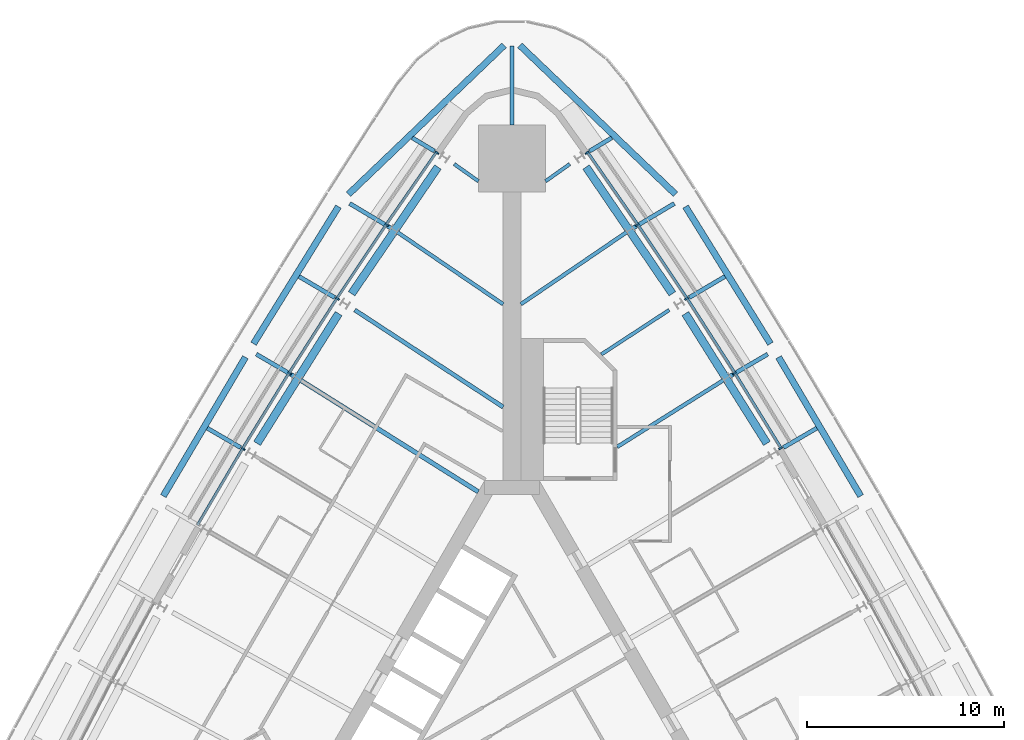
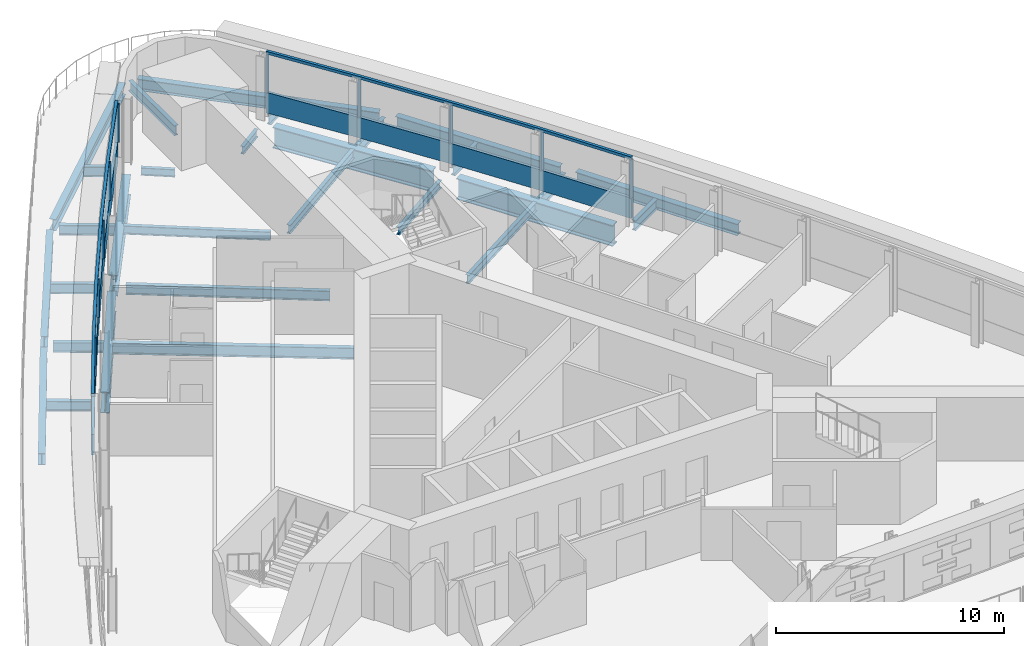
# One storey, part 5 of 14: 29 beams, 14 members, 2 elements without a shape of their own.
"""IFC4 building model written with IfcOpenShell, lengths in metres."""

from ifc_helpers import new_model, si_unit, direction, frame, origin, origin_2d, place, context, subcontext, project, spatial, polyline, rectangle, i_section, outline, extrude, material, material_profile, profile_set, type_object, element, aggregate, save


model = new_model("IFC4")

# Units and contexts
model_context = context("Model", 3, precision=1e-05, world=origin(), true_north=direction((0.0, 1.0)))
body_context = subcontext(model_context, "Body", "Model", "MODEL_VIEW")
ifc_project = project(units=[si_unit("LENGTHUNIT", "METRE"), si_unit("AREAUNIT", "SQUARE_METRE"), si_unit("VOLUMEUNIT", "CUBIC_METRE"), si_unit("PLANEANGLEUNIT", "RADIAN"), si_unit("MASSUNIT", "GRAM", prefix="KILO")], contexts=[model_context])

# Site, building, storey
site_placement = place(None, origin())
site = spatial("IfcSite", under=ifc_project, at=site_placement, CompositionType="ELEMENT")
building_placement = place(site_placement, origin())
building = spatial("IfcBuilding", under=site, at=building_placement, Name="Noor Cloister Tower", CompositionType="ELEMENT")
storey_placement = place(building_placement, frame((0.0, 0.0, 24.0)))
storey = spatial("IfcBuildingStorey", under=building, at=storey_placement, Name="L05", CompositionType="ELEMENT", Elevation=24.0)

# Curtain wall, member
ifc_material_1 = material(Name="Aluminium 6063-T6 anodised", Category="aluminium")
curtain_wall_type = type_object("IfcCurtainWallType", Name="Ribbon curtain wall, lower tower CW1", PredefinedType="NOTDEFINED", material=ifc_material_1)
curtain_wall_1_placement = place(storey_placement, origin())
curtain_wall_1 = element("IfcCurtainWall", 1, at=curtain_wall_1_placement, inside=storey, type_object=curtain_wall_type, Name="CW1 L05 NW run 1", PredefinedType="NOTDEFINED")
ifc_material_2 = material(Name="Aluminium 6063-T6 anodised", Category="aluminium")
member_type_1 = type_object("IfcMemberType", Name="Head transom CW1 150", PredefinedType="USERDEFINED", material=ifc_material_2)
member_1_placement = place(storey_placement, frame((0.0, 0.0, 3.14990234375)))
member_1 = element("IfcMember", 2, at=member_1_placement, type_object=member_type_1, Name="CW1 head transom", ObjectType="TRANSOM", PredefinedType="USERDEFINED", context=body_context, shape_type="SweptSolid", body=[
    extrude(outline(polyline([(-3.869873046875, 28.177734375), (-6.43701171875, 24.48193359375), (-8.93505859375, 20.739013671875), (-11.36328125, 16.950439453125), (-13.720947265625, 13.11767578125), (-16.0068359375, 9.24169921875), (-15.88623046875, 9.17041015625), (-13.600830078125, 13.04541015625), (-11.244873046875, 16.8759765625), (-8.81787109375, 20.662353515625), (-6.3212890625, 24.403076171875), (-3.7548828125, 28.097900390625), (-3.869873046875, 28.177734375)])), origin(), (0.0, 0.0, 1.0), 0.150146484375),
])

curtain_wall_2_placement = place(storey_placement, origin())
curtain_wall_2 = element("IfcCurtainWall", 3, at=curtain_wall_2_placement, inside=storey, type_object=curtain_wall_type, Name="CW1 L05 NE run 8", PredefinedType="NOTDEFINED")
member_2_placement = place(storey_placement, frame((0.0, 0.0, 3.14990234375)))
member_2 = element("IfcMember", 4, at=member_2_placement, type_object=member_type_1, Name="CW1 head transom", ObjectType="TRANSOM", PredefinedType="USERDEFINED", context=body_context, shape_type="SweptSolid", body=[
    extrude(outline(polyline([(13.720947265625, 13.11767578125), (11.36328125, 16.950439453125), (8.93505859375, 20.739013671875), (6.43701171875, 24.48193359375), (3.869873046875, 28.177734375), (3.7548828125, 28.097900390625), (6.3212890625, 24.403076171875), (8.81787109375, 20.662353515625), (11.244873046875, 16.8759765625), (13.6015625, 13.044189453125), (13.720947265625, 13.11767578125)])), origin(), (0.0, 0.0, 1.0), 0.150146484375),
])

# Member
ifc_material_3 = material(Name="Aluminium 6063-T6 anodised", Category="aluminium")
ifc_material_profile_1 = material_profile(ifc_material_3, rectangle(XDim=0.199951171875, YDim=0.080078125, at=origin_2d()), Name="200 x 80 mullion")
ifc_profile_set_1 = profile_set([ifc_material_profile_1], Name="Aluminium 6063-T6 anodised")
member_type_2 = type_object("IfcMemberType", Name="Mullion CW1 80 x 200", PredefinedType="MULLION", material=ifc_profile_set_1)
member_3_placement = place(storey_placement, frame((-3.810546875, 28.087890625, 1.10009765625), z_axis=(0.0, 0.0, 1.0), x_axis=(0.821310840472, -0.570480940369, 0.0)))
member_3 = element("IfcMember", 5, at=member_3_placement, type_object=member_type_2, Name="CW1 mullion 1", PredefinedType="MULLION", context=body_context, shape_type="SweptSolid", body=[
    extrude(rectangle(XDim=0.199951171875, YDim=0.080078125, at=origin_2d()), origin(), (0.0, 0.0, 1.0), 2.0498046875),
])

member_4_placement = place(storey_placement, frame((-6.354248046875, 24.425537109375, 1.10009765625), z_axis=(0.0, 0.0, 1.0), x_axis=(0.826567745426, -0.562837243101, 0.0)))
member_4 = element("IfcMember", 6, at=member_4_placement, type_object=member_type_2, Name="CW1 mullion 2", PredefinedType="MULLION", context=body_context, shape_type="SweptSolid", body=[
    extrude(rectangle(XDim=0.199951171875, YDim=0.080078125, at=origin_2d()), origin(), (0.0, 0.0, 1.0), 2.0498046875),
])

member_5_placement = place(storey_placement, frame((-8.851318359375, 20.684326171875, 1.10009765625), z_axis=(0.0, 0.0, 1.0), x_axis=(0.83686770291, -0.547405195287, 0.0)))
member_5 = element("IfcMember", 7, at=member_5_placement, type_object=member_type_2, Name="CW1 mullion 3", PredefinedType="MULLION", context=body_context, shape_type="SweptSolid", body=[
    extrude(rectangle(XDim=0.199951171875, YDim=0.080078125, at=origin_2d()), origin(), (0.0, 0.0, 1.0), 2.0498046875),
])

member_6_placement = place(storey_placement, frame((-11.278564453125, 16.8974609375, 1.10009765625), z_axis=(0.0, 0.0, 1.0), x_axis=(0.846879579379, -0.531784710227, 0.0)))
member_6 = element("IfcMember", 8, at=member_6_placement, type_object=member_type_2, Name="CW1 mullion 4", PredefinedType="MULLION", context=body_context, shape_type="SweptSolid", body=[
    extrude(rectangle(XDim=0.199951171875, YDim=0.080078125, at=origin_2d()), origin(), (0.0, 0.0, 1.0), 2.0498046875),
])

member_7_placement = place(storey_placement, frame((-13.63525390625, 13.06591796875, 1.10009765625), z_axis=(0.0, 0.0, 1.0), x_axis=(0.856599928372, -0.515981165076, 0.0)))
member_7 = element("IfcMember", 9, at=member_7_placement, type_object=member_type_2, Name="CW1 mullion 5", PredefinedType="MULLION", context=body_context, shape_type="SweptSolid", body=[
    extrude(rectangle(XDim=0.199951171875, YDim=0.080078125, at=origin_2d()), origin(), (0.0, 0.0, 1.0), 2.0498046875),
])

member_8_placement = place(storey_placement, frame((13.61474609375, 13.099365234375, 1.10009765625), z_axis=(0.0, 0.0, 1.0), x_axis=(-0.851776406307, -0.523905481608, 0.0)))
member_8 = element("IfcMember", 10, at=member_8_placement, type_object=member_type_2, Name="CW1 mullion 1", PredefinedType="MULLION", context=body_context, shape_type="SweptSolid", body=[
    extrude(rectangle(XDim=0.199951171875, YDim=0.080078125, at=origin_2d()), origin(), (0.0, 0.0, 1.0), 2.0498046875),
])

member_9_placement = place(storey_placement, frame((11.278564453125, 16.8974609375, 1.10009765625), z_axis=(0.0, 0.0, 1.0), x_axis=(-0.846879579379, -0.531784710227, 0.0)))
member_9 = element("IfcMember", 11, at=member_9_placement, type_object=member_type_2, Name="CW1 mullion 2", PredefinedType="MULLION", context=body_context, shape_type="SweptSolid", body=[
    extrude(rectangle(XDim=0.199951171875, YDim=0.080078125, at=origin_2d()), origin(), (0.0, 0.0, 1.0), 2.0498046875),
])

member_10_placement = place(storey_placement, frame((8.851318359375, 20.684326171875, 1.10009765625), z_axis=(0.0, 0.0, 1.0), x_axis=(-0.83686770291, -0.547405195287, 0.0)))
member_10 = element("IfcMember", 12, at=member_10_placement, type_object=member_type_2, Name="CW1 mullion 3", PredefinedType="MULLION", context=body_context, shape_type="SweptSolid", body=[
    extrude(rectangle(XDim=0.199951171875, YDim=0.080078125, at=origin_2d()), origin(), (0.0, 0.0, 1.0), 2.0498046875),
])

member_11_placement = place(storey_placement, frame((6.354248046875, 24.425537109375, 1.10009765625), z_axis=(0.0, 0.0, 1.0), x_axis=(-0.826567745426, -0.562837243101, 0.0)))
member_11 = element("IfcMember", 13, at=member_11_placement, type_object=member_type_2, Name="CW1 mullion 4", PredefinedType="MULLION", context=body_context, shape_type="SweptSolid", body=[
    extrude(rectangle(XDim=0.199951171875, YDim=0.080078125, at=origin_2d()), origin(), (0.0, 0.0, 1.0), 2.0498046875),
])

member_12_placement = place(storey_placement, frame((3.810546875, 28.087890625, 1.10009765625), z_axis=(0.0, 0.0, 1.0), x_axis=(-0.821310840472, -0.570480940369, 0.0)))
member_12 = element("IfcMember", 14, at=member_12_placement, type_object=member_type_2, Name="CW1 mullion 5", PredefinedType="MULLION", context=body_context, shape_type="SweptSolid", body=[
    extrude(rectangle(XDim=0.199951171875, YDim=0.080078125, at=origin_2d()), origin(), (0.0, 0.0, 1.0), 2.0498046875),
])

# Beams
ifc_material_4 = material(Name="Steel ASTM A992 Gr 50", Category="steel")
ifc_material_profile_2 = material_profile(ifc_material_4, i_section(OverallWidth=0.324951171875, OverallDepth=0.616943359375, WebThickness=0.013916015625, FlangeThickness=0.021484375, FilletRadius=0.0126953125, at=origin_2d()), Name="W610x174")
ifc_profile_set_2 = profile_set([ifc_material_profile_2], Name="Steel ASTM A992 Gr 50")
beam_type_1 = type_object("IfcBeamType", Name="Podium perimeter beam W610x174", PredefinedType="BEAM", material=ifc_profile_set_2)
beam_1_placement = place(storey_placement, frame((-0.39990234375, 33.530517578125, -0.508544921875), z_axis=(-0.722642827837, -0.691221631154, 0.0), x_axis=(0.691221631154, -0.722642827837, 0.0)))
element("IfcBeam", 15, at=beam_1_placement, inside=storey, type_object=beam_type_1, Name="Podium perimeter beam 01 L05", PredefinedType="BEAM", context=body_context, shape_type="SweptSolid", body=[
    extrude(i_section(OverallWidth=0.324951171875, OverallDepth=0.616943359375, WebThickness=0.013916015625, FlangeThickness=0.021484375, FilletRadius=0.0126953125, at=origin_2d()), origin(), (0.0, 0.0, 1.0), 10.924560546875),
])
beam_2_placement = place(storey_placement, frame((-8.802978515625, 25.3544921875, -0.508544921875), z_axis=(-0.526431670639, -0.85021744051, 0.0), x_axis=(0.85021744051, -0.526431670639, 0.0)))
element("IfcBeam", 16, at=beam_2_placement, inside=storey, type_object=beam_type_1, Name="Podium perimeter beam 02 L05", PredefinedType="BEAM", context=body_context, shape_type="SweptSolid", body=[
    extrude(i_section(OverallWidth=0.324951171875, OverallDepth=0.616943359375, WebThickness=0.013916015625, FlangeThickness=0.021484375, FilletRadius=0.0126953125, at=origin_2d()), origin(), (0.0, 0.0, 1.0), 8.180419921875),
])
for number, where, z_axis, x_axis, name in (
    (17, (-13.5234375, 17.71484375, -0.508544921875), (-0.508871084259, -0.860842738022, 0.0), (0.860842738022, -0.508871084259, 0.0), "Podium perimeter beam 03 L05"),
    (18, (17.68603515625, 10.673095703125, -0.508544921875), (-0.508871084259, 0.860842738022, 0.0), (-0.860842738022, -0.508871084259, 0.0), "Podium perimeter beam 16 L05"),
):
    element("IfcBeam", number, at=place(storey_placement, frame(where, z_axis=z_axis, x_axis=x_axis)), inside=storey, type_object=beam_type_1, Name=name, PredefinedType="BEAM", context=body_context, shape_type="SweptSolid", body=[
        extrude(i_section(OverallWidth=0.324951171875, OverallDepth=0.616943359375, WebThickness=0.013916015625, FlangeThickness=0.021484375, FilletRadius=0.0126953125, at=origin_2d()), origin(), (0.0, 0.0, 1.0), 8.18017578125),
    ])
beam_3_placement = place(storey_placement, frame((13.109375, 18.3994140625, -0.508544921875), z_axis=(-0.526431670639, 0.85021744051, 0.0), x_axis=(-0.85021744051, -0.526431670639, 0.0)))
element("IfcBeam", 19, at=beam_3_placement, inside=storey, type_object=beam_type_1, Name="Podium perimeter beam 17 L05", PredefinedType="BEAM", context=body_context, shape_type="SweptSolid", body=[
    extrude(i_section(OverallWidth=0.324951171875, OverallDepth=0.616943359375, WebThickness=0.013916015625, FlangeThickness=0.021484375, FilletRadius=0.0126953125, at=origin_2d()), origin(), (0.0, 0.0, 1.0), 8.180419921875),
])
beam_4_placement = place(storey_placement, frame((8.29443359375, 25.979248046875, -0.508544921875), z_axis=(-0.722642827837, 0.691221631154, 0.0), x_axis=(-0.691221631154, -0.722642827837, 0.0)))
element("IfcBeam", 20, at=beam_4_placement, inside=storey, type_object=beam_type_1, Name="Podium perimeter beam 18 L05", PredefinedType="BEAM", context=body_context, shape_type="SweptSolid", body=[
    extrude(i_section(OverallWidth=0.324951171875, OverallDepth=0.616943359375, WebThickness=0.013916015625, FlangeThickness=0.021484375, FilletRadius=0.0126953125, at=origin_2d()), origin(), (0.0, 0.0, 1.0), 10.924560546875),
])
ifc_material_5 = material(Name="Steel ASTM A992 Gr 50", Category="steel")
ifc_material_profile_3 = material_profile(ifc_material_5, i_section(OverallWidth=0.208984375, OverallDepth=0.532958984375, WebThickness=0.01025390625, FlangeThickness=0.015625, FilletRadius=0.0126953125, at=origin_2d()), Name="W530x92")
ifc_profile_set_3 = profile_set([ifc_material_profile_3], Name="Steel ASTM A992 Gr 50")
beam_type_2 = type_object("IfcBeamType", Name="Podium stub beam W530x92", PredefinedType="BEAM", material=ifc_profile_set_3)
beam_5_placement = place(storey_placement, frame((-3.936767578125, 28.169921875, -0.466552734375), z_axis=(-0.85703318355, 0.515261217534, 0.0), x_axis=(-0.515261217534, -0.85703318355, 0.0)))
element("IfcBeam", 21, at=beam_5_placement, inside=storey, type_object=beam_type_2, Name="Podium stub beam NW 00 L05", PredefinedType="BEAM", context=body_context, shape_type="SweptSolid", body=[
    extrude(i_section(OverallWidth=0.208984375, OverallDepth=0.532958984375, WebThickness=0.01025390625, FlangeThickness=0.015625, FilletRadius=0.0126953125, at=origin_2d()), origin(), (0.0, 0.0, 1.0), 1.31298828125),
])
beam_6_placement = place(storey_placement, frame((-6.120361328125, 24.25439453125, -0.466552734375), z_axis=(-0.85936142963, 0.511368686238, 0.0), x_axis=(-0.511368686238, -0.85936142963, 0.0)))
element("IfcBeam", 22, at=beam_6_placement, inside=storey, type_object=beam_type_2, Name="Podium stub beam NW 01 L05", PredefinedType="BEAM", context=body_context, shape_type="SweptSolid", body=[
    extrude(i_section(OverallWidth=0.208984375, OverallDepth=0.532958984375, WebThickness=0.01025390625, FlangeThickness=0.015625, FilletRadius=0.0126953125, at=origin_2d()), origin(), (0.0, 0.0, 1.0), 2.459716796875),
])
beam_7_placement = place(storey_placement, frame((-8.9921875, 20.7431640625, -0.466552734375), z_axis=(-0.861388026726, 0.507947504583, 0.0), x_axis=(-0.507947504583, -0.861388026726, 0.0)))
element("IfcBeam", 23, at=beam_7_placement, inside=storey, type_object=beam_type_2, Name="Podium stub beam NW 02 L05", PredefinedType="BEAM", context=body_context, shape_type="SweptSolid", body=[
    extrude(i_section(OverallWidth=0.208984375, OverallDepth=0.532958984375, WebThickness=0.01025390625, FlangeThickness=0.015625, FilletRadius=0.0126953125, at=origin_2d()), origin(), (0.0, 0.0, 1.0), 2.104736328125),
])
beam_8_placement = place(storey_placement, frame((-11.035888671875, 16.739013671875, -0.466552734375), z_axis=(-0.863101466996, 0.505030551223, 0.0), x_axis=(-0.505030551223, -0.863101466996, 0.0)))
element("IfcBeam", 24, at=beam_8_placement, inside=storey, type_object=beam_type_2, Name="Podium stub beam NW 03 L05", PredefinedType="BEAM", context=body_context, shape_type="SweptSolid", body=[
    extrude(i_section(OverallWidth=0.208984375, OverallDepth=0.532958984375, WebThickness=0.01025390625, FlangeThickness=0.015625, FilletRadius=0.0126953125, at=origin_2d()), origin(), (0.0, 0.0, 1.0), 2.23779296875),
])
for number, where, z_axis, x_axis, name in (
    (25, (-13.7685546875, 13.13525390625, -0.466552734375), (-0.864596671595, 0.502466511786, 0.0), (-0.502466511786, -0.864596671595, 0.0), "Podium stub beam NW 04 L05"),
    (26, (13.7685546875, 13.13525390625, -0.466552734375), (0.864596671595, 0.502466511786, 0.0), (-0.502466511786, 0.864596671595, 0.0), "Podium stub beam NE 06 L05"),
):
    element("IfcBeam", number, at=place(storey_placement, frame(where, z_axis=z_axis, x_axis=x_axis)), inside=storey, type_object=beam_type_2, Name=name, PredefinedType="BEAM", context=body_context, shape_type="SweptSolid", body=[
        extrude(i_section(OverallWidth=0.208984375, OverallDepth=0.532958984375, WebThickness=0.01025390625, FlangeThickness=0.015625, FilletRadius=0.0126953125, at=origin_2d()), origin(), (0.0, 0.0, 1.0), 1.95703125),
    ])
beam_9_placement = place(storey_placement, frame((11.035888671875, 16.739013671875, -0.466552734375), z_axis=(0.863101466996, 0.505030551223, 0.0), x_axis=(-0.505030551223, 0.863101466996, 0.0)))
element("IfcBeam", 27, at=beam_9_placement, inside=storey, type_object=beam_type_2, Name="Podium stub beam NE 07 L05", PredefinedType="BEAM", context=body_context, shape_type="SweptSolid", body=[
    extrude(i_section(OverallWidth=0.208984375, OverallDepth=0.532958984375, WebThickness=0.01025390625, FlangeThickness=0.015625, FilletRadius=0.0126953125, at=origin_2d()), origin(), (0.0, 0.0, 1.0), 2.23779296875),
])
beam_10_placement = place(storey_placement, frame((8.9921875, 20.7431640625, -0.466552734375), z_axis=(0.861388026726, 0.507947504583, 0.0), x_axis=(-0.507947504583, 0.861388026726, 0.0)))
element("IfcBeam", 28, at=beam_10_placement, inside=storey, type_object=beam_type_2, Name="Podium stub beam NE 08 L05", PredefinedType="BEAM", context=body_context, shape_type="SweptSolid", body=[
    extrude(i_section(OverallWidth=0.208984375, OverallDepth=0.532958984375, WebThickness=0.01025390625, FlangeThickness=0.015625, FilletRadius=0.0126953125, at=origin_2d()), origin(), (0.0, 0.0, 1.0), 2.104736328125),
])
beam_11_placement = place(storey_placement, frame((6.120361328125, 24.25439453125, -0.466552734375), z_axis=(0.85936142963, 0.511368686238, 0.0), x_axis=(-0.511368686238, 0.85936142963, 0.0)))
element("IfcBeam", 29, at=beam_11_placement, inside=storey, type_object=beam_type_2, Name="Podium stub beam NE 09 L05", PredefinedType="BEAM", context=body_context, shape_type="SweptSolid", body=[
    extrude(i_section(OverallWidth=0.208984375, OverallDepth=0.532958984375, WebThickness=0.01025390625, FlangeThickness=0.015625, FilletRadius=0.0126953125, at=origin_2d()), origin(), (0.0, 0.0, 1.0), 2.459716796875),
])
beam_12_placement = place(storey_placement, frame((3.936767578125, 28.169921875, -0.466552734375), z_axis=(0.85703318355, 0.515261217534, 0.0), x_axis=(-0.515261217534, 0.85703318355, 0.0)))
element("IfcBeam", 30, at=beam_12_placement, inside=storey, type_object=beam_type_2, Name="Podium stub beam NE 10 L05", PredefinedType="BEAM", context=body_context, shape_type="SweptSolid", body=[
    extrude(i_section(OverallWidth=0.208984375, OverallDepth=0.532958984375, WebThickness=0.01025390625, FlangeThickness=0.015625, FilletRadius=0.0126953125, at=origin_2d()), origin(), (0.0, 0.0, 1.0), 1.31298828125),
])
beam_13_placement = place(storey_placement, frame((0.0, 29.489013671875, -0.466552734375), z_axis=(0.0, 1.0, 0.0), x_axis=(-1.0, 0.0, 0.0)))
element("IfcBeam", 31, at=beam_13_placement, inside=storey, type_object=beam_type_2, Name="Podium corner stub beam N L05", PredefinedType="BEAM", context=body_context, shape_type="SweptSolid", body=[
    extrude(i_section(OverallWidth=0.208984375, OverallDepth=0.532958984375, WebThickness=0.01025390625, FlangeThickness=0.015625, FilletRadius=0.0126953125, at=origin_2d()), origin(), (0.0, 0.0, 1.0), 4.024169921875),
])
ifc_material_6 = material(Name="Steel ASTM A992 Gr 50", Category="steel")
ifc_material_profile_4 = material_profile(ifc_material_6, i_section(OverallWidth=0.177978515625, OverallDepth=0.406005859375, WebThickness=0.0078125, FlangeThickness=0.0126953125, FilletRadius=0.01025390625, at=origin_2d()), Name="W410x60")
ifc_profile_set_4 = profile_set([ifc_material_profile_4], Name="Steel ASTM A992 Gr 50")
beam_type_3 = type_object("IfcBeamType", Name="Radial beam W410x60", PredefinedType="BEAM", material=ifc_profile_set_4)
beam_14_placement = place(storey_placement, frame((-2.931396484375, 27.512939453125, -0.403076171875), z_axis=(0.816011763041, -0.578035295271, 0.0), x_axis=(0.578035295271, 0.816011763041, 0.0)))
element("IfcBeam", 32, at=beam_14_placement, inside=storey, type_object=beam_type_3, Name="Radial beam NW 01 L05", PredefinedType="BEAM", context=body_context, shape_type="SweptSolid", body=[
    extrude(i_section(OverallWidth=0.177978515625, OverallDepth=0.406005859375, WebThickness=0.0078125, FlangeThickness=0.0126953125, FilletRadius=0.01025390625, at=origin_2d()), origin(), (0.0, 0.0, 1.0), 1.509033203125),
])
beam_15_placement = place(storey_placement, frame((7.97265625, 20.109619140625, -0.403076171875), z_axis=(-0.836852408304, -0.547428576816, 0.0), x_axis=(0.547428576816, -0.836852408304, 0.0)))
element("IfcBeam", 33, at=beam_15_placement, inside=storey, type_object=beam_type_3, Name="Radial beam NE 09 L05", PredefinedType="BEAM", context=body_context, shape_type="SweptSolid", body=[
    extrude(i_section(OverallWidth=0.177978515625, OverallDepth=0.406005859375, WebThickness=0.0078125, FlangeThickness=0.0126953125, FilletRadius=0.01025390625, at=origin_2d()), origin(), (0.0, 0.0, 1.0), 4.110595703125),
])
beam_16_placement = place(storey_placement, frame((2.931396484375, 27.512939453125, -0.403076171875), z_axis=(-0.816011763041, -0.578035295271, 0.0), x_axis=(0.578035295271, -0.816011763041, 0.0)))
element("IfcBeam", 34, at=beam_16_placement, inside=storey, type_object=beam_type_3, Name="Radial beam NE 11 L05", PredefinedType="BEAM", context=body_context, shape_type="SweptSolid", body=[
    extrude(i_section(OverallWidth=0.177978515625, OverallDepth=0.406005859375, WebThickness=0.0078125, FlangeThickness=0.0126953125, FilletRadius=0.01025390625, at=origin_2d()), origin(), (0.0, 0.0, 1.0), 1.509033203125),
])
ifc_material_7 = material(Name="Steel ASTM A992 Gr 50", Category="steel")
ifc_material_profile_5 = material_profile(ifc_material_7, i_section(OverallWidth=0.19091796875, OverallDepth=0.45703125, WebThickness=0.009033203125, FlangeThickness=0.014404296875, FilletRadius=0.01025390625, at=origin_2d()), Name="W460x74")
ifc_profile_set_5 = profile_set([ifc_material_profile_5], Name="Steel ASTM A992 Gr 50")
beam_type_4 = type_object("IfcBeamType", Name="Radial beam W460x74", PredefinedType="BEAM", material=ifc_profile_set_5)
beam_17_placement = place(storey_placement, frame((-5.8154296875, 24.05859375, -0.428466796875), z_axis=(0.8265828672, -0.562815035026, 0.0), x_axis=(0.562815035026, 0.8265828672, 0.0)))
element("IfcBeam", 35, at=beam_17_placement, inside=storey, type_object=beam_type_4, Name="Radial beam NW 02 L05", PredefinedType="BEAM", context=body_context, shape_type="SweptSolid", body=[
    extrude(i_section(OverallWidth=0.19091796875, OverallDepth=0.45703125, WebThickness=0.009033203125, FlangeThickness=0.014404296875, FilletRadius=0.01025390625, at=origin_2d()), origin(), (0.0, 0.0, 1.0), 6.4912109375),
])
beam_18_placement = place(storey_placement, frame((10.7265625, 16.550537109375, -0.428466796875), z_axis=(-0.846886775344, -0.531773250312, 0.0), x_axis=(0.531773250312, -0.846886775344, 0.0)))
element("IfcBeam", 36, at=beam_18_placement, inside=storey, type_object=beam_type_4, Name="Radial beam NE 08 L05", PredefinedType="BEAM", context=body_context, shape_type="SweptSolid", body=[
    extrude(i_section(OverallWidth=0.19091796875, OverallDepth=0.45703125, WebThickness=0.009033203125, FlangeThickness=0.014404296875, FilletRadius=0.01025390625, at=origin_2d()), origin(), (0.0, 0.0, 1.0), 6.365478515625),
])
beam_19_placement = place(storey_placement, frame((5.8154296875, 24.05859375, -0.428466796875), z_axis=(-0.8265828672, -0.562815035026, 0.0), x_axis=(0.562815035026, -0.8265828672, 0.0)))
element("IfcBeam", 37, at=beam_19_placement, inside=storey, type_object=beam_type_4, Name="Radial beam NE 10 L05", PredefinedType="BEAM", context=body_context, shape_type="SweptSolid", body=[
    extrude(i_section(OverallWidth=0.19091796875, OverallDepth=0.45703125, WebThickness=0.009033203125, FlangeThickness=0.014404296875, FilletRadius=0.01025390625, at=origin_2d()), origin(), (0.0, 0.0, 1.0), 6.4912109375),
])
ifc_material_8 = material(Name="Steel ASTM A992 Gr 50", Category="steel")
ifc_material_profile_6 = material_profile(ifc_material_8, i_section(OverallWidth=0.208984375, OverallDepth=0.532958984375, WebThickness=0.01025390625, FlangeThickness=0.015625, FilletRadius=0.0126953125, at=origin_2d()), Name="W530x92")
ifc_profile_set_6 = profile_set([ifc_material_profile_6], Name="Steel ASTM A992 Gr 50")
beam_type_5 = type_object("IfcBeamType", Name="Radial beam W530x92", PredefinedType="BEAM", material=ifc_profile_set_6)
beam_20_placement = place(storey_placement, frame((-7.97265625, 20.109619140625, -0.466552734375), z_axis=(0.836869601911, -0.547402292101, 0.0), x_axis=(0.547402292101, 0.836869601911, 0.0)))
element("IfcBeam", 38, at=beam_20_placement, inside=storey, type_object=beam_type_5, Name="Radial beam NW 03 L05", PredefinedType="BEAM", context=body_context, shape_type="SweptSolid", body=[
    extrude(i_section(OverallWidth=0.208984375, OverallDepth=0.532958984375, WebThickness=0.01025390625, FlangeThickness=0.015625, FilletRadius=0.0126953125, at=origin_2d()), origin(), (0.0, 0.0, 1.0), 8.989013671875),
])
ifc_material_9 = material(Name="Steel ASTM A992 Gr 50", Category="steel")
ifc_material_profile_7 = material_profile(ifc_material_9, i_section(OverallWidth=0.22802734375, OverallDepth=0.60205078125, WebThickness=0.010498046875, FlangeThickness=0.014892578125, FilletRadius=0.0126953125, at=origin_2d()), Name="W610x101")
ifc_profile_set_7 = profile_set([ifc_material_profile_7], Name="Steel ASTM A992 Gr 50")
beam_type_6 = type_object("IfcBeamType", Name="Radial beam W610x101", PredefinedType="BEAM", material=ifc_profile_set_7)
beam_21_placement = place(storey_placement, frame((-10.7265625, 16.550537109375, -0.5009765625), z_axis=(0.846885664753, -0.531775019003, 0.0), x_axis=(0.531775019003, 0.846885664753, 0.0)))
element("IfcBeam", 39, at=beam_21_placement, inside=storey, type_object=beam_type_6, Name="Radial beam NW 04 L05", PredefinedType="BEAM", context=body_context, shape_type="SweptSolid", body=[
    extrude(i_section(OverallWidth=0.22802734375, OverallDepth=0.60205078125, WebThickness=0.010498046875, FlangeThickness=0.014892578125, FilletRadius=0.0126953125, at=origin_2d()), origin(), (0.0, 0.0, 1.0), 10.643798828125),
])

# Member
ifc_material_10 = material(Name="Aluminium 6063-T6 anodised", Category="aluminium")
member_type_3 = type_object("IfcMemberType", Name="Sill transom CW1 1100", PredefinedType="USERDEFINED", material=ifc_material_10)
member_13_placement = place(storey_placement, origin())
member_13 = element("IfcMember", 40, at=member_13_placement, type_object=member_type_3, Name="CW1 sill transom", ObjectType="TRANSOM", PredefinedType="USERDEFINED", context=body_context, shape_type="SweptSolid", body=[
    extrude(outline(polyline([(-3.869873046875, 28.177734375), (-6.43701171875, 24.48193359375), (-8.93505859375, 20.739013671875), (-11.36328125, 16.950439453125), (-13.720947265625, 13.11767578125), (-16.0068359375, 9.24169921875), (-15.88623046875, 9.17041015625), (-13.600830078125, 13.04541015625), (-11.244873046875, 16.8759765625), (-8.81787109375, 20.662353515625), (-6.3212890625, 24.403076171875), (-3.7548828125, 28.097900390625), (-3.869873046875, 28.177734375)])), origin(), (0.0, 0.0, 1.0), 1.10009765625),
])

aggregate(curtain_wall_1, [member_3, member_4, member_5, member_6, member_7, member_13, member_1])

member_14_placement = place(storey_placement, origin())
member_14 = element("IfcMember", 41, at=member_14_placement, type_object=member_type_3, Name="CW1 sill transom", ObjectType="TRANSOM", PredefinedType="USERDEFINED", context=body_context, shape_type="SweptSolid", body=[
    extrude(outline(polyline([(13.720947265625, 13.11767578125), (11.36328125, 16.950439453125), (8.93505859375, 20.739013671875), (6.43701171875, 24.48193359375), (3.869873046875, 28.177734375), (3.7548828125, 28.097900390625), (6.3212890625, 24.403076171875), (8.81787109375, 20.662353515625), (11.244873046875, 16.8759765625), (13.6015625, 13.044189453125), (13.720947265625, 13.11767578125)])), origin(), (0.0, 0.0, 1.0), 1.10009765625),
])

aggregate(curtain_wall_2, [member_8, member_9, member_10, member_11, member_12, member_14, member_2])

# Beams
ifc_material_11 = material(Name="Steel ASTM A992 Gr 50", Category="steel")
ifc_material_profile_8 = material_profile(ifc_material_11, i_section(OverallWidth=0.404052734375, OverallDepth=1.1201171875, WebThickness=0.026123046875, FlangeThickness=0.044921875, FilletRadius=0.02001953125, at=origin_2d()), Name="W1100x499")
ifc_profile_set_8 = profile_set([ifc_material_profile_8], Name="Steel ASTM A992 Gr 50")
beam_type_7 = type_object("IfcBeamType", Name="Transfer girder W1100x499", PredefinedType="BEAM", material=ifc_profile_set_8)
for number, where, z_axis, x_axis, name in (
    (42, (-3.7587890625, 27.36376953125, -0.760009765625), (-0.562836146896, -0.826568491867, 0.0), (0.826568491867, -0.562836146896, 0.0), "Transfer girder 01"),
    (43, (-8.7939453125, 19.9296875, -0.760009765625), (-0.531794830589, -0.846873224373, 0.0), (0.846873224373, -0.531794830589, 0.0), "Transfer girder 02"),
    (44, (12.9306640625, 13.342041015625, -0.760009765625), (-0.531794830589, 0.846873224373, 0.0), (-0.846873224373, -0.531794830589, 0.0), "Transfer girder 14"),
    (45, (8.136962890625, 20.93408203125, -0.760009765625), (-0.562836146896, 0.826568491867, 0.0), (-0.826568491867, -0.562836146896, 0.0), "Transfer girder 15"),
):
    element("IfcBeam", number, at=place(storey_placement, frame(where, z_axis=z_axis, x_axis=x_axis)), inside=storey, type_object=beam_type_7, Name=name, PredefinedType="BEAM", context=body_context, shape_type="SweptSolid", body=[
        extrude(i_section(OverallWidth=0.404052734375, OverallDepth=1.1201171875, WebThickness=0.026123046875, FlangeThickness=0.044921875, FilletRadius=0.02001953125, at=origin_2d()), origin(), (0.0, 0.0, 1.0), 7.77880859375),
    ])

save(model, "model.ifc")
